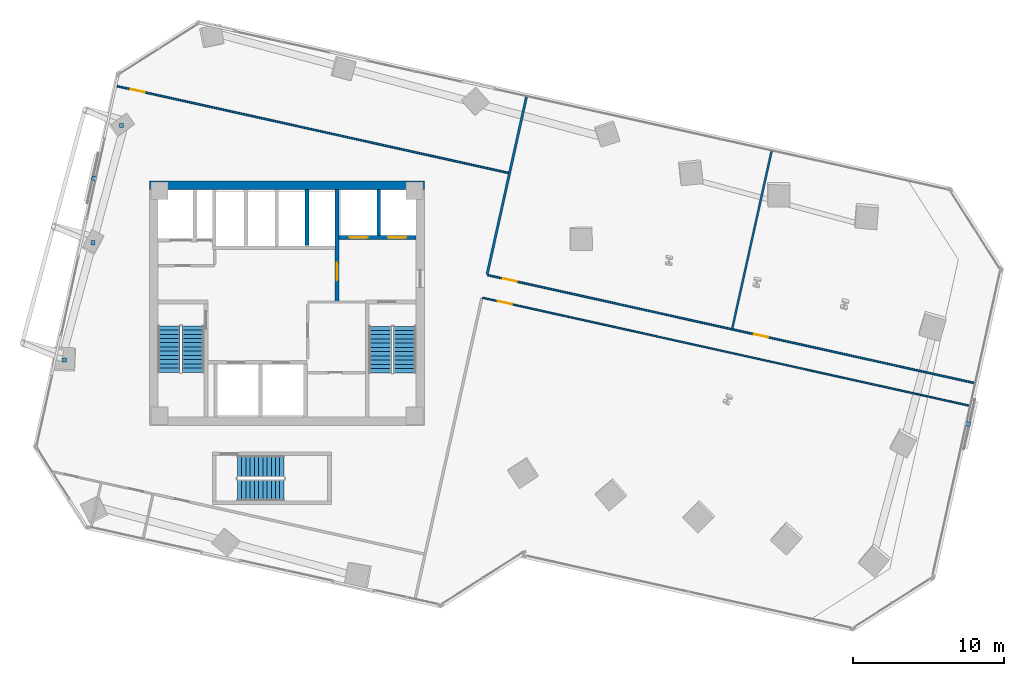
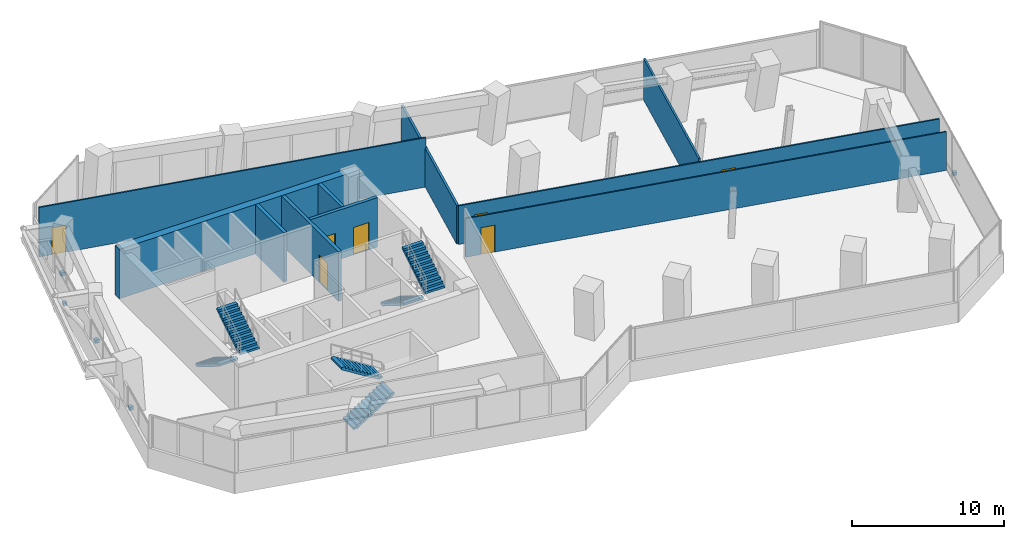
# One storey, part 22 of 26: 10 walls, 7 doors, 6 stair flights, 5 discrete accessories, 7 openings, 3 elements without a shape of their own.
"""IFC4 building model written with IfcOpenShell, lengths in metres."""

from ifc_helpers import new_model, si_unit, direction, frame, frame_2d, origin, origin_2d, place, context, subcontext, project, spatial, polyline, rectangle, outline, extrude, source, transform, mapped, material, layer, layer_set, type_object, element, fill, aggregate, save


model = new_model("IFC4")

# Units and contexts
model_context = context("Model", 3, precision=1e-05, world=origin(), true_north=direction((0.0, 1.0)))
body_context = subcontext(model_context, "Body", "Model", "MODEL_VIEW")
ifc_project = project(units=[si_unit("LENGTHUNIT", "METRE"), si_unit("AREAUNIT", "SQUARE_METRE"), si_unit("VOLUMEUNIT", "CUBIC_METRE"), si_unit("PLANEANGLEUNIT", "RADIAN"), si_unit("MASSUNIT", "GRAM", prefix="KILO")], contexts=[model_context])

# Site, building, storey
site_placement = place(None, origin())
site = spatial("IfcSite", under=ifc_project, at=site_placement, CompositionType="ELEMENT")
building_placement = place(site_placement, origin())
building = spatial("IfcBuilding", under=site, at=building_placement, Name="Torre Montelarca", CompositionType="ELEMENT")
storey_placement = place(building_placement, frame((0.0, 0.0, 95.800048828125)))
storey = spatial("IfcBuildingStorey", under=building, at=storey_placement, Name="L21", CompositionType="ELEMENT", Elevation=95.800048828125)

# Wall, opening, door
ifc_material_1 = material(Name="Concrete C40/50", Category="concrete")
ifc_layer_1 = layer(ifc_material_1, 0.25, Name="Concrete C40/50", Category="concrete")
ifc_layer_set_1 = layer_set([ifc_layer_1], Name="Concrete C40/50")
wall_type_1 = type_object("IfcWallType", Name="CW-SHAFT-250", PredefinedType="SHEAR", material=ifc_layer_set_1)
wall_1_placement = place(storey_placement, frame((21.320068359375, 32.1201171875, 0.0), z_axis=(0.0, 0.0, 1.0), x_axis=(0.0, 1.0, 0.0)))
wall_1 = element("IfcWall", 1, at=wall_1_placement, inside=storey, type_object=wall_type_1, Name="L21 Core Shear Wall SH-FFL-W", PredefinedType="SHEAR", context=body_context, shape_type="SweptSolid", body=[
    extrude(rectangle(XDim=7.419921875, YDim=0.25, at=frame_2d((3.7099609375, 0.0))), origin(), (0.0, 0.0, 1.0), 3.9599609375),
])
opening_1_placement = place(wall_1_placement, frame((1.39990234375, 0.0, 0.0)))
opening_1 = element("IfcOpeningElement", 2, at=opening_1_placement, cuts=wall_1, Name="Opening FD-LB1", PredefinedType="OPENING", context=body_context, shape_type="SweptSolid", body=[
    extrude(rectangle(XDim=1.14990234375, YDim=2.199951171875, at=frame_2d((0.574951171875, 1.10009765625))), frame((0.0, 0.135009765625, 0.0), z_axis=(0.0, -1.0, 0.0), x_axis=(1.0, 0.0, 0.0)), (0.0, 0.0, 1.0), 0.27001953125),
])
ifc_material_2 = material(Name="Acoustic timber-veneered fire door", Category="wood")
door_type_1 = type_object("IfcDoorType", Name="DR-LOBBY-115", OperationType="NOTDEFINED", PredefinedType="DOOR", material=ifc_material_2)
shared_shape_1 = source(origin(), body_context, "Body", "SweptSolid", [
    extrude(rectangle(XDim=1.14990234375, YDim=2.199951171875, at=frame_2d((0.574951171875, 1.10009765625))), frame((0.0, 0.02490234375, 0.0), z_axis=(0.0, -1.0, 0.0), x_axis=(1.0, 0.0, 0.0)), (0.0, 0.0, 1.0), 0.050048828125),
])
door_1_placement = place(opening_1_placement, origin())
door_1 = element("IfcDoor", 3, at=door_1_placement, inside=storey, type_object=door_type_1, Name="L21 Lift Lobby to Firefighting Lobby Smoke Door", OperationType="SINGLE_SWING_LEFT", OverallHeight=2.199951171875, OverallWidth=1.14990234375, PredefinedType="DOOR", context=body_context, shape_type="MappedRepresentation", body=[
    mapped(shared_shape_1, transform((0.0, 0.0, 0.0), scale=1.0)),
])
fill(opening_1, door_1)

# Wall, openings, doors
wall_2_placement = place(storey_placement, frame((21.449951171875, 36.35009765625, 0.0), z_axis=(0.0, 0.0, 1.0), x_axis=(1.0, 0.0, 0.0)))
wall_2 = element("IfcWall", 4, at=wall_2_placement, inside=storey, type_object=wall_type_1, Name="L21 Core Shear Wall SH-FF-S", PredefinedType="SHEAR", context=body_context, shape_type="SweptSolid", body=[
    extrude(rectangle(XDim=5.090087890625, YDim=0.25, at=frame_2d((2.544921875, 0.0))), origin(), (0.0, 0.0, 1.0), 3.9599609375),
])
opening_2_placement = place(wall_2_placement, frame((0.699951171875, 0.0, 0.0)))
opening_2 = element("IfcOpeningElement", 5, at=opening_2_placement, cuts=wall_2, Name="Opening LD-120", PredefinedType="OPENING", context=body_context, shape_type="SweptSolid", body=[
    extrude(rectangle(XDim=1.199951171875, YDim=2.199951171875, at=frame_2d((0.60009765625, 1.10009765625))), frame((0.0, 0.135009765625, 0.0), z_axis=(0.0, -1.0, 0.0), x_axis=(1.0, 0.0, 0.0)), (0.0, 0.0, 1.0), 0.27001953125),
])
opening_3_placement = place(wall_2_placement, frame((3.25, 0.0, 0.0)))
opening_3 = element("IfcOpeningElement", 6, at=opening_3_placement, cuts=wall_2, Name="Opening LD-120", PredefinedType="OPENING", context=body_context, shape_type="SweptSolid", body=[
    extrude(rectangle(XDim=1.199951171875, YDim=2.199951171875, at=frame_2d((0.60009765625, 1.10009765625))), frame((0.0, 0.135009765625, 0.0), z_axis=(0.0, -1.0, 0.0), x_axis=(1.0, 0.0, 0.0)), (0.0, 0.0, 1.0), 0.27001953125),
])
ifc_material_3 = material(Name="Brushed stainless steel AISI 316", Category="steel")
door_type_2 = type_object("IfcDoorType", Name="DR-LIFT-120", OperationType="SLIDING_TO_RIGHT", PredefinedType="DOOR", material=ifc_material_3)
shared_shape_2 = source(origin(), body_context, "Body", "SweptSolid", [
    extrude(rectangle(XDim=1.199951171875, YDim=2.199951171875, at=frame_2d((0.60009765625, 1.10009765625))), frame((0.0, 0.02490234375, 0.0), z_axis=(0.0, -1.0, 0.0), x_axis=(1.0, 0.0, 0.0)), (0.0, 0.0, 1.0), 0.050048828125),
])
door_2_placement = place(opening_2_placement, origin())
door_2 = element("IfcDoor", 7, at=door_2_placement, inside=storey, type_object=door_type_2, Name="L21 Lift Landing Sliding Door FF-1", OperationType="SLIDING_TO_LEFT", OverallHeight=2.199951171875, OverallWidth=1.199951171875, PredefinedType="DOOR", context=body_context, shape_type="MappedRepresentation", body=[
    mapped(shared_shape_2, transform((0.0, 0.0, 0.0), scale=1.0)),
])
fill(opening_2, door_2)
door_3_placement = place(opening_3_placement, origin())
door_3 = element("IfcDoor", 8, at=door_3_placement, inside=storey, type_object=door_type_2, Name="L21 Lift Landing Sliding Door FF-2", OperationType="SLIDING_TO_RIGHT", OverallHeight=2.199951171875, OverallWidth=1.199951171875, PredefinedType="DOOR", context=body_context, shape_type="MappedRepresentation", body=[
    mapped(shared_shape_2, transform((0.0, 0.0, 0.0), scale=1.0)),
])
fill(opening_3, door_3)

# Walls
wall_3_placement = place(storey_placement, frame((24.080078125, 36.47998046875, 0.0), z_axis=(0.0, 0.0, 1.0), x_axis=(0.0, 1.0, 0.0)))
element("IfcWall", 9, at=wall_3_placement, inside=storey, type_object=wall_type_1, Name="L21 Core Shear Wall SH-FF-M", PredefinedType="SHEAR", context=body_context, shape_type="SweptSolid", body=[
    extrude(rectangle(XDim=3.06005859375, YDim=0.25, at=frame_2d((1.530029296875, 0.0))), origin(), (0.0, 0.0, 1.0), 3.9599609375),
])
wall_4_placement = place(storey_placement, frame((19.320068359375, 35.81005859375, 0.0), z_axis=(0.0, 0.0, 1.0), x_axis=(0.0, 1.0, 0.0)))
element("IfcWall", 10, at=wall_4_placement, inside=storey, type_object=wall_type_1, Name="L21 Core Shear Wall SH-PLH-M", PredefinedType="SHEAR", context=body_context, shape_type="SweptSolid", body=[
    extrude(rectangle(XDim=3.72998046875, YDim=0.25, at=frame_2d((1.864990234375, 0.0))), origin(), (0.0, 0.0, 1.0), 3.9599609375),
])
ifc_material_4 = material(Name="Concrete C70/85", Category="concrete")
ifc_layer_2 = layer(ifc_material_4, 0.550048828125, Name="Concrete C70/85", Category="concrete")
ifc_layer_set_2 = layer_set([ifc_layer_2], Name="Concrete C70/85")
wall_type_2 = type_object("IfcWallType", Name="CW-SHEAR-550", PredefinedType="SHEAR", material=ifc_layer_set_2)
wall_5_placement = place(storey_placement, frame((8.89990234375, 39.824951171875, 0.0), z_axis=(0.0, 0.0, 1.0), x_axis=(1.0, 0.0, 0.0)))
element("IfcWall", 11, at=wall_5_placement, inside=storey, type_object=wall_type_2, Name="L21 Core Shear Wall CW-N1", PredefinedType="SHEAR", context=body_context, shape_type="SweptSolid", body=[
    extrude(rectangle(XDim=18.2001953125, YDim=0.550048828125, at=frame_2d((9.10009765625, 0.0))), origin(), (0.0, 0.0, 1.0), 3.9599609375),
])
ifc_material_5 = material(Name="Gypsum plasterboard on steel stud", Category="steel")
ifc_layer_3 = layer(ifc_material_5, 0.159912109375, Name="Gypsum plasterboard on steel stud", Category="steel")
ifc_layer_set_3 = layer_set([ifc_layer_3], Name="Gypsum plasterboard on steel stud")
wall_type_3 = type_object("IfcWallType", Name="PW-FIRE-160", PredefinedType="PARTITIONING", material=ifc_layer_set_3)
wall_6_placement = place(storey_placement, frame((31.265380859375, 33.911865234375, 0.0), z_axis=(0.0, 0.0, 1.0), x_axis=(0.216425867349, 0.976299054564, 0.0)))
element("IfcWall", 12, at=wall_6_placement, inside=storey, type_object=wall_type_3, Name="L21 Interior Partition W-L21-ECN", PredefinedType="PARTITIONING", context=body_context, shape_type="SweptSolid", body=[
    extrude(rectangle(XDim=12.039794921875, YDim=0.159912109375, at=frame_2d((6.02001953125, 0.0))), origin(), (0.0, 0.0, 1.0), 3.094970703125),
])

# Wall, opening, door
ifc_material_6 = material(Name="Acoustic laminated glass partition", Category="glass")
ifc_layer_4 = layer(ifc_material_6, 0.10009765625, Name="Acoustic laminated glass partition", Category="glass")
ifc_layer_set_4 = layer_set([ifc_layer_4], Name="Acoustic laminated glass partition")
wall_type_4 = type_object("IfcWallType", Name="PW-GLAZ-100", PredefinedType="PARTITIONING", material=ifc_layer_set_4)
wall_7_placement = place(storey_placement, frame((30.96240234375, 32.360595703125, 0.0), z_axis=(0.0, 0.0, 1.0), x_axis=(0.976295538171, -0.216441729221, 0.0)))
wall_7 = element("IfcWall", 13, at=wall_7_placement, inside=storey, type_object=wall_type_4, Name="L21 Interior Partition W-L21-SE-N", PredefinedType="PARTITIONING", context=body_context, shape_type="SweptSolid", body=[
    extrude(rectangle(XDim=33.059814453125, YDim=0.10009765625, at=frame_2d((16.52978515625, 0.0))), origin(), (0.0, 0.0, 1.0), 3.094970703125),
])
opening_4_placement = place(wall_7_placement, frame((1.050048828125, 0.0, 0.0)))
opening_4 = element("IfcOpeningElement", 14, at=opening_4_placement, cuts=wall_7, Name="Opening ID-095", PredefinedType="OPENING", context=body_context, shape_type="SweptSolid", body=[
    extrude(rectangle(XDim=0.949951171875, YDim=2.14990234375, at=frame_2d((0.47509765625, 1.074951171875))), frame((0.0, 0.06005859375, 0.0), z_axis=(0.0, -1.0, 0.0), x_axis=(1.0, 0.0, 0.0)), (0.0, 0.0, 1.0), 0.1201171875),
])
ifc_material_7 = material(Name="Hardwood acoustic timber veneer", Category="wood")
door_type_3 = type_object("IfcDoorType", Name="DR-INT-095", OperationType="NOTDEFINED", PredefinedType="DOOR", material=ifc_material_7)
shared_shape_3 = source(origin(), body_context, "Body", "SweptSolid", [
    extrude(rectangle(XDim=0.949951171875, YDim=2.14990234375, at=frame_2d((0.47509765625, 1.074951171875))), frame((0.0, 0.02490234375, 0.0), z_axis=(0.0, -1.0, 0.0), x_axis=(1.0, 0.0, 0.0)), (0.0, 0.0, 1.0), 0.050048828125),
])
door_4_placement = place(opening_4_placement, origin())
door_4 = element("IfcDoor", 15, at=door_4_placement, inside=storey, type_object=door_type_3, Name="L21 Interior Door 10", OperationType="SINGLE_SWING_LEFT", OverallHeight=2.14990234375, OverallWidth=0.949951171875, PredefinedType="DOOR", context=body_context, shape_type="MappedRepresentation", body=[
    mapped(shared_shape_3, transform((0.0, 0.0, 0.0), scale=1.0)),
])
fill(opening_4, door_4)

ifc_layer_5 = layer(ifc_material_5, 0.114990234375, Name="Gypsum plasterboard on steel stud", Category="steel")
ifc_layer_set_5 = layer_set([ifc_layer_5], Name="Gypsum plasterboard on steel stud")
wall_type_5 = type_object("IfcWallType", Name="PW-PART-115", PredefinedType="PARTITIONING", material=ifc_layer_set_5)
wall_8_placement = place(storey_placement, frame((6.74365234375, 46.384765625, 0.0), z_axis=(0.0, 0.0, 1.0), x_axis=(0.976297719541, -0.216431889561, 0.0)))
wall_8 = element("IfcWall", 16, at=wall_8_placement, inside=storey, type_object=wall_type_5, Name="L21 Interior Partition W-L21-NBOT", PredefinedType="PARTITIONING", context=body_context, shape_type="SweptSolid", body=[
    extrude(rectangle(XDim=26.599853515625, YDim=0.114990234375, at=frame_2d((13.2998046875, 0.0))), origin(), (0.0, 0.0, 1.0), 3.9599609375),
])
opening_5_placement = place(wall_8_placement, frame((0.909912109375, 0.0, 0.0)))
opening_5 = element("IfcOpeningElement", 17, at=opening_5_placement, cuts=wall_8, Name="Opening ID-095", PredefinedType="OPENING", context=body_context, shape_type="SweptSolid", body=[
    extrude(rectangle(XDim=0.949951171875, YDim=2.14990234375, at=frame_2d((0.47509765625, 1.074951171875))), frame((0.0, 0.0673828125, 0.0), z_axis=(0.0, -1.0, 0.0), x_axis=(1.0, 0.0, 0.0)), (0.0, 0.0, 1.0), 0.135009765625),
])
door_5_placement = place(opening_5_placement, origin())
door_5 = element("IfcDoor", 18, at=door_5_placement, inside=storey, type_object=door_type_3, Name="L21 Interior Door 07", OperationType="SINGLE_SWING_LEFT", OverallHeight=2.14990234375, OverallWidth=0.949951171875, PredefinedType="DOOR", context=body_context, shape_type="MappedRepresentation", body=[
    mapped(shared_shape_3, transform((0.0, 0.0, 0.0), scale=1.0)),
])
fill(opening_5, door_5)

# Wall, openings, doors
wall_9_placement = place(storey_placement, frame((31.295654296875, 33.864013671875, 0.0), z_axis=(0.0, 0.0, 1.0), x_axis=(0.976295884124, -0.216440168738, 0.0)))
wall_9 = element("IfcWall", 19, at=wall_9_placement, inside=storey, type_object=wall_type_5, Name="L21 Interior Partition W-L21-NE-S", PredefinedType="PARTITIONING", context=body_context, shape_type="SweptSolid", body=[
    extrude(rectangle(XDim=33.06005859375, YDim=0.114990234375, at=frame_2d((16.530029296875, 0.0))), origin(), (0.0, 0.0, 1.0), 3.094970703125),
])
opening_6_placement = place(wall_9_placement, frame((1.050048828125, 0.0, 0.0)))
opening_6 = element("IfcOpeningElement", 20, at=opening_6_placement, cuts=wall_9, Name="Opening ID-095", PredefinedType="OPENING", context=body_context, shape_type="SweptSolid", body=[
    extrude(rectangle(XDim=0.949951171875, YDim=2.14990234375, at=frame_2d((0.47509765625, 1.074951171875))), frame((0.0, 0.0673828125, 0.0), z_axis=(0.0, -1.0, 0.0), x_axis=(1.0, 0.0, 0.0)), (0.0, 0.0, 1.0), 0.135009765625),
])
opening_7_placement = place(wall_9_placement, frame((18.090087890625, 0.0, 0.0)))
opening_7 = element("IfcOpeningElement", 21, at=opening_7_placement, cuts=wall_9, Name="Opening ID-095", PredefinedType="OPENING", context=body_context, shape_type="SweptSolid", body=[
    extrude(rectangle(XDim=0.949951171875, YDim=2.14990234375, at=frame_2d((0.47509765625, 1.074951171875))), frame((0.0, 0.0673828125, 0.0), z_axis=(0.0, -1.0, 0.0), x_axis=(1.0, 0.0, 0.0)), (0.0, 0.0, 1.0), 0.135009765625),
])
door_6_placement = place(opening_6_placement, origin())
door_6 = element("IfcDoor", 22, at=door_6_placement, inside=storey, type_object=door_type_3, Name="L21 Interior Door 08", OperationType="SINGLE_SWING_LEFT", OverallHeight=2.14990234375, OverallWidth=0.949951171875, PredefinedType="DOOR", context=body_context, shape_type="MappedRepresentation", body=[
    mapped(shared_shape_3, transform((0.0, 0.0, 0.0), scale=1.0)),
])
fill(opening_6, door_6)
door_7_placement = place(opening_7_placement, origin())
door_7 = element("IfcDoor", 23, at=door_7_placement, inside=storey, type_object=door_type_3, Name="L21 Interior Door 09", OperationType="SINGLE_SWING_RIGHT", OverallHeight=2.14990234375, OverallWidth=0.949951171875, PredefinedType="DOOR", context=body_context, shape_type="MappedRepresentation", body=[
    mapped(shared_shape_3, transform((0.0, 0.0, 0.0), scale=1.0)),
])
fill(opening_7, door_7)

# Wall
ifc_layer_6 = layer(ifc_material_5, 0.135009765625, Name="Gypsum plasterboard on steel stud", Category="steel")
ifc_layer_set_6 = layer_set([ifc_layer_6], Name="Gypsum plasterboard on steel stud")
wall_type_6 = type_object("IfcWallType", Name="PW-PART-135", PredefinedType="PARTITIONING", material=ifc_layer_set_6)
wall_10_placement = place(storey_placement, frame((47.510986328125, 30.310302734375, 0.0), z_axis=(0.0, 0.0, 1.0), x_axis=(0.216425867349, 0.976299054564, 0.0)))
element("IfcWall", 24, at=wall_10_placement, inside=storey, type_object=wall_type_6, Name="L21 Interior Partition W-L21-NEDIV-1", PredefinedType="PARTITIONING", context=body_context, shape_type="SweptSolid", body=[
    extrude(rectangle(XDim=12.039794921875, YDim=0.135009765625, at=frame_2d((6.02001953125, 0.0))), origin(), (0.0, 0.0, 1.0), 3.322998046875),
])

# Stair, stair flights
stair_type_1 = type_object("IfcStairType", Name="ST-CORE-ST1", PredefinedType="HALF_TURN_STAIR", material=ifc_material_1)
stair_1_placement = place(storey_placement, origin())
stair_1 = element("IfcStair", 25, at=stair_1_placement, inside=storey, type_object=stair_type_1, Name="L21 Protected Exit Stair ST1", PredefinedType="HALF_TURN_STAIR")
stair_flight_type_1 = type_object("IfcStairFlightType", Name="SFL-CORE-ST1", PredefinedType="STRAIGHT", material=ifc_material_1)
stair_flight_1_placement = place(storey_placement, frame((10.175048828125, 30.5, 0.0), z_axis=(0.0, 0.0, 1.0), x_axis=(0.0, -1.0, 0.0)))
stair_flight_1 = element("IfcStairFlight", 26, at=stair_flight_1_placement, type_object=stair_flight_type_1, Name="ST1 flight 1", NumberOfRisers=12, NumberOfTreads=11, PredefinedType="STRAIGHT", RiserHeight=0.175, TreadLength=0.28, context=body_context, shape_type="SweptSolid", body=[
    extrude(outline(polyline([(0.0, 0.0), (0.0, 0.175048828125), (0.280029296875, 0.175048828125), (0.280029296875, 0.35009765625), (0.56005859375, 0.35009765625), (0.56005859375, 0.52490234375), (0.840087890625, 0.52490234375), (0.840087890625, 0.699951171875), (1.1201171875, 0.699951171875), (1.1201171875, 0.875), (1.39990234375, 0.875), (1.39990234375, 1.050048828125), (1.679931640625, 1.050048828125), (1.679931640625, 1.22509765625), (1.9599609375, 1.22509765625), (1.9599609375, 1.39990234375), (2.239990234375, 1.39990234375), (2.239990234375, 1.574951171875), (2.52001953125, 1.574951171875), (2.52001953125, 1.75), (2.800048828125, 1.75), (2.800048828125, 1.925048828125), (3.080078125, 1.925048828125), (3.080078125, 2.10009765625), (3.080078125, 1.748291015625), (0.28271484375, 0.0), (0.0, 0.0)])), frame((0.0, 0.72509765625, 0.0), z_axis=(0.0, -1.0, 0.0), x_axis=(1.0, 0.0, 0.0)), (0.0, 0.0, 1.0), 1.449951171875),
])
stair_flight_2_placement = place(storey_placement, frame((11.77490234375, 27.419921875, 2.099853515625), z_axis=(0.0, 0.0, 1.0), x_axis=(0.0, 1.0, 0.0)))
stair_flight_2 = element("IfcStairFlight", 27, at=stair_flight_2_placement, type_object=stair_flight_type_1, Name="ST1 flight 2", NumberOfRisers=12, NumberOfTreads=11, PredefinedType="STRAIGHT", RiserHeight=0.175, TreadLength=0.28, context=body_context, shape_type="SweptSolid", body=[
    extrude(outline(polyline([(0.0, 0.0), (0.0, 0.175048828125), (0.280029296875, 0.175048828125), (0.280029296875, 0.35009765625), (0.56005859375, 0.35009765625), (0.56005859375, 0.52490234375), (0.840087890625, 0.52490234375), (0.840087890625, 0.699951171875), (1.1201171875, 0.699951171875), (1.1201171875, 0.875), (1.39990234375, 0.875), (1.39990234375, 1.050048828125), (1.679931640625, 1.050048828125), (1.679931640625, 1.22509765625), (1.9599609375, 1.22509765625), (1.9599609375, 1.39990234375), (2.239990234375, 1.39990234375), (2.239990234375, 1.574951171875), (2.52001953125, 1.574951171875), (2.52001953125, 1.75), (2.800048828125, 1.75), (2.800048828125, 1.925048828125), (3.080078125, 1.925048828125), (3.080078125, 2.10009765625), (3.080078125, 1.748291015625), (0.28271484375, 0.0), (0.0, 0.0)])), frame((0.0, 0.72509765625, 0.0), z_axis=(0.0, -1.0, 0.0), x_axis=(1.0, 0.0, 0.0)), (0.0, 0.0, 1.0), 1.449951171875),
])
aggregate(stair_1, [stair_flight_1, stair_flight_2])

stair_type_2 = type_object("IfcStairType", Name="ST-CORE-ST2", PredefinedType="HALF_TURN_STAIR", material=ifc_material_1)
stair_2_placement = place(storey_placement, origin())
stair_2 = element("IfcStair", 28, at=stair_2_placement, inside=storey, type_object=stair_type_2, Name="L21 Protected Exit Stair ST2", PredefinedType="HALF_TURN_STAIR")
stair_flight_type_2 = type_object("IfcStairFlightType", Name="SFL-CORE-ST2", PredefinedType="STRAIGHT", material=ifc_material_1)
stair_flight_3_placement = place(storey_placement, frame((24.179931640625, 30.469970703125, 0.0), z_axis=(0.0, 0.0, 1.0), x_axis=(0.0, -1.0, 0.0)))
stair_flight_3 = element("IfcStairFlight", 29, at=stair_flight_3_placement, type_object=stair_flight_type_2, Name="ST2 flight 1", NumberOfRisers=12, NumberOfTreads=11, PredefinedType="STRAIGHT", RiserHeight=0.175, TreadLength=0.28, context=body_context, shape_type="SweptSolid", body=[
    extrude(outline(polyline([(0.0, 0.0), (0.0, 0.175048828125), (0.280029296875, 0.175048828125), (0.280029296875, 0.35009765625), (0.56005859375, 0.35009765625), (0.56005859375, 0.52490234375), (0.840087890625, 0.52490234375), (0.840087890625, 0.699951171875), (1.1201171875, 0.699951171875), (1.1201171875, 0.875), (1.39990234375, 0.875), (1.39990234375, 1.050048828125), (1.679931640625, 1.050048828125), (1.679931640625, 1.22509765625), (1.9599609375, 1.22509765625), (1.9599609375, 1.39990234375), (2.239990234375, 1.39990234375), (2.239990234375, 1.574951171875), (2.52001953125, 1.574951171875), (2.52001953125, 1.75), (2.800048828125, 1.75), (2.800048828125, 1.925048828125), (3.080078125, 1.925048828125), (3.080078125, 2.10009765625), (3.080078125, 1.748291015625), (0.28271484375, 0.0), (0.0, 0.0)])), frame((0.0, 0.739990234375, 0.0), z_axis=(0.0, -1.0, 0.0), x_axis=(1.0, 0.0, 0.0)), (0.0, 0.0, 1.0), 1.47998046875),
])
stair_flight_4_placement = place(storey_placement, frame((25.81005859375, 27.389892578125, 2.099853515625), z_axis=(0.0, 0.0, 1.0), x_axis=(0.0, 1.0, 0.0)))
stair_flight_4 = element("IfcStairFlight", 30, at=stair_flight_4_placement, type_object=stair_flight_type_2, Name="ST2 flight 2", NumberOfRisers=12, NumberOfTreads=11, PredefinedType="STRAIGHT", RiserHeight=0.175, TreadLength=0.28, context=body_context, shape_type="SweptSolid", body=[
    extrude(outline(polyline([(0.0, 0.0), (0.0, 0.175048828125), (0.280029296875, 0.175048828125), (0.280029296875, 0.35009765625), (0.56005859375, 0.35009765625), (0.56005859375, 0.52490234375), (0.840087890625, 0.52490234375), (0.840087890625, 0.699951171875), (1.1201171875, 0.699951171875), (1.1201171875, 0.875), (1.39990234375, 0.875), (1.39990234375, 1.050048828125), (1.679931640625, 1.050048828125), (1.679931640625, 1.22509765625), (1.9599609375, 1.22509765625), (1.9599609375, 1.39990234375), (2.239990234375, 1.39990234375), (2.239990234375, 1.574951171875), (2.52001953125, 1.574951171875), (2.52001953125, 1.75), (2.800048828125, 1.75), (2.800048828125, 1.925048828125), (3.080078125, 1.925048828125), (3.080078125, 2.10009765625), (3.080078125, 1.748291015625), (0.28271484375, 0.0), (0.0, 0.0)])), frame((0.0, 0.739990234375, 0.0), z_axis=(0.0, -1.0, 0.0), x_axis=(1.0, 0.0, 0.0)), (0.0, 0.0, 1.0), 1.47998046875),
])
aggregate(stair_2, [stair_flight_3, stair_flight_4])

stair_type_3 = type_object("IfcStairType", Name="ST-CORE-ST3", PredefinedType="HALF_TURN_STAIR", material=ifc_material_1)
stair_3_placement = place(storey_placement, origin())
stair_3 = element("IfcStair", 31, at=stair_3_placement, inside=storey, type_object=stair_type_3, Name="L21 Low-Rise Exit Stair ST3", PredefinedType="HALF_TURN_STAIR")
stair_flight_type_3 = type_object("IfcStairFlightType", Name="SFL-CORE-ST3", PredefinedType="STRAIGHT", material=ifc_material_1)
stair_flight_5_placement = place(storey_placement, frame((14.719970703125, 19.610107421875, 0.0), z_axis=(0.0, 0.0, 1.0), x_axis=(1.0, 0.0, 0.0)))
stair_flight_5 = element("IfcStairFlight", 32, at=stair_flight_5_placement, type_object=stair_flight_type_3, Name="ST3 flight 1", NumberOfRisers=12, NumberOfTreads=11, PredefinedType="STRAIGHT", RiserHeight=0.175, TreadLength=0.28, context=body_context, shape_type="SweptSolid", body=[
    extrude(outline(polyline([(0.0, 0.0), (0.0, 0.175048828125), (0.280029296875, 0.175048828125), (0.280029296875, 0.35009765625), (0.56005859375, 0.35009765625), (0.56005859375, 0.52490234375), (0.840087890625, 0.52490234375), (0.840087890625, 0.699951171875), (1.1201171875, 0.699951171875), (1.1201171875, 0.875), (1.39990234375, 0.875), (1.39990234375, 1.050048828125), (1.679931640625, 1.050048828125), (1.679931640625, 1.22509765625), (1.9599609375, 1.22509765625), (1.9599609375, 1.39990234375), (2.239990234375, 1.39990234375), (2.239990234375, 1.574951171875), (2.52001953125, 1.574951171875), (2.52001953125, 1.75), (2.800048828125, 1.75), (2.800048828125, 1.925048828125), (3.080078125, 1.925048828125), (3.080078125, 2.10009765625), (3.080078125, 1.748291015625), (0.28271484375, 0.0), (0.0, 0.0)])), frame((0.0, 0.7099609375, 0.0), z_axis=(0.0, -1.0, 0.0), x_axis=(1.0, 0.0, 0.0)), (0.0, 0.0, 1.0), 1.419921875),
])
stair_flight_6_placement = place(storey_placement, frame((17.800048828125, 21.179931640625, 2.099853515625), z_axis=(0.0, 0.0, 1.0), x_axis=(-1.0, 0.0, 0.0)))
stair_flight_6 = element("IfcStairFlight", 33, at=stair_flight_6_placement, type_object=stair_flight_type_3, Name="ST3 flight 2", NumberOfRisers=12, NumberOfTreads=11, PredefinedType="STRAIGHT", RiserHeight=0.175, TreadLength=0.28, context=body_context, shape_type="SweptSolid", body=[
    extrude(outline(polyline([(0.0, 0.0), (0.0, 0.175048828125), (0.280029296875, 0.175048828125), (0.280029296875, 0.35009765625), (0.56005859375, 0.35009765625), (0.56005859375, 0.52490234375), (0.840087890625, 0.52490234375), (0.840087890625, 0.699951171875), (1.1201171875, 0.699951171875), (1.1201171875, 0.875), (1.39990234375, 0.875), (1.39990234375, 1.050048828125), (1.679931640625, 1.050048828125), (1.679931640625, 1.22509765625), (1.9599609375, 1.22509765625), (1.9599609375, 1.39990234375), (2.239990234375, 1.39990234375), (2.239990234375, 1.574951171875), (2.52001953125, 1.574951171875), (2.52001953125, 1.75), (2.800048828125, 1.75), (2.800048828125, 1.925048828125), (3.080078125, 1.925048828125), (3.080078125, 2.10009765625), (3.080078125, 1.748291015625), (0.28271484375, 0.0), (0.0, 0.0)])), frame((0.0, 0.7099609375, 0.0), z_axis=(0.0, -1.0, 0.0), x_axis=(1.0, 0.0, 0.0)), (0.0, 0.0, 1.0), 1.419921875),
])
aggregate(stair_3, [stair_flight_5, stair_flight_6])

# Discrete accessories
ifc_material_8 = material(Name="Stainless steel AISI 316", Category="steel")
discrete_accessory_type = type_object("IfcDiscreteAccessoryType", Name="ACC-BRACKET-SS", PredefinedType="BRACKET", material=ifc_material_8)
shared_shape_4 = source(origin(), body_context, "Body", "SweptSolid", [
    extrude(rectangle(XDim=0.280029296875, YDim=0.280029296875, at=origin_2d()), origin(), (0.0, 0.0, 1.0), 0.280029296875),
])
for number, where, z_axis, x_axis, name in (
    (34, (3.2314453125, 28.234375, 0.009765625), (0.0, 0.0, 1.0), (1.0, 0.0, 0.0), "L22 Raker End Connection Bracket W1-FT"),
    (35, (5.1328125, 36.0048828125, 0.009765625), (0.0, 0.0, 1.0), (1.0, 0.0, 0.0), "L22 Raker End Connection Bracket W2-FT"),
    (36, (7.034423828125, 43.775634765625, 0.009765625), (0.0, 0.0, 1.0), (1.0, 0.0, 0.0), "L22 Raker End Connection Bracket W3-FT"),
):
    element("IfcDiscreteAccessory", number, at=place(storey_placement, frame(where, z_axis=z_axis, x_axis=x_axis)), inside=storey, type_object=discrete_accessory_type, Name=name, PredefinedType="BRACKET", context=body_context, shape_type="MappedRepresentation", body=[
        mapped(shared_shape_4, transform((0.0, 0.0, 0.0), scale=1.0)),
    ])
shared_shape_5 = source(origin(), body_context, "Body", "SweptSolid", [
    extrude(rectangle(XDim=0.280029296875, YDim=0.260009765625, at=origin_2d()), origin(), (0.0, 0.0, 1.0), 0.239990234375),
])
for number, where, z_axis, x_axis, name in (
    (37, (63.17431640625, 23.990234375, 0.39990234375), (0.0, 0.0, 1.0), (0.21643790998, 0.976296384877, 0.0), "L21 Solar Screen Support Bracket E6-1"),
    (38, (5.184814453125, 40.277587890625, 0.39990234375), (0.0, 0.0, 1.0), (-0.216441317896, -0.97629562936, 0.0), "L21 Solar Screen Support Bracket E10-1"),
):
    element("IfcDiscreteAccessory", number, at=place(storey_placement, frame(where, z_axis=z_axis, x_axis=x_axis)), inside=storey, type_object=discrete_accessory_type, Name=name, PredefinedType="BRACKET", context=body_context, shape_type="MappedRepresentation", body=[
        mapped(shared_shape_5, transform((0.0, 0.0, 0.0), scale=1.0)),
    ])

save(model, "model.ifc")
